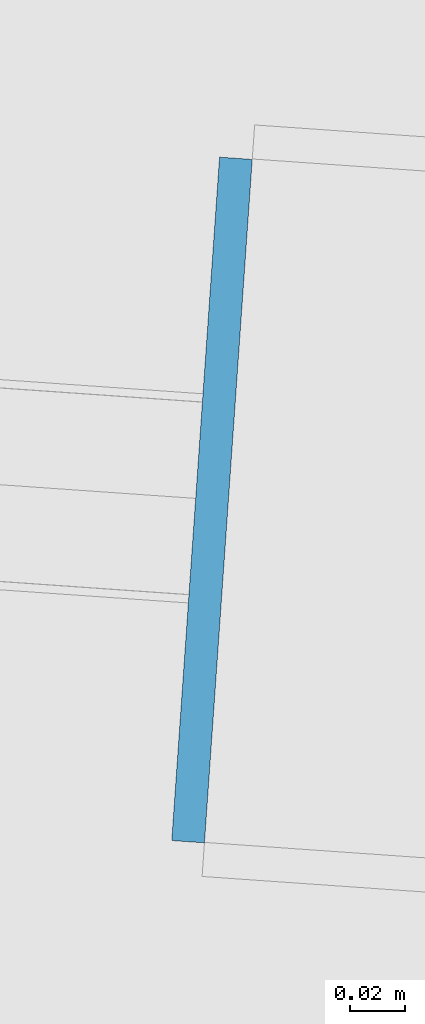
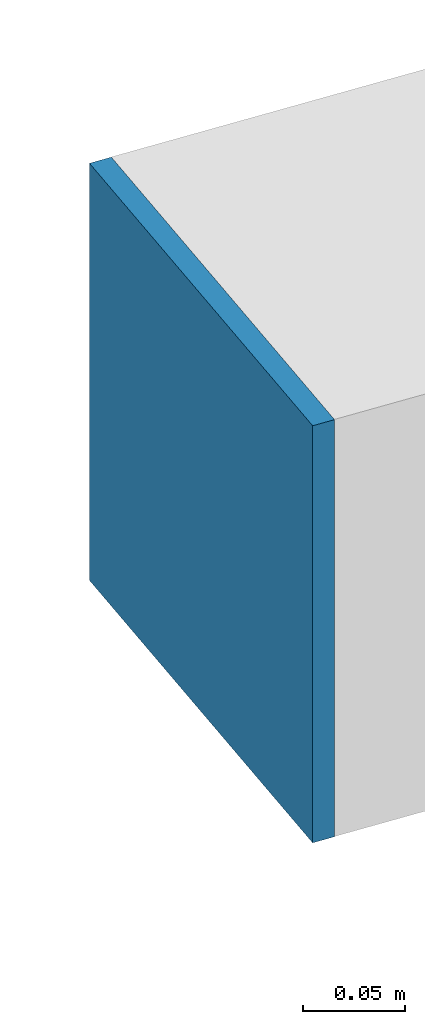
# One storey, part 29 of 39: 1 plate.
"""IFC4 building model written with IfcOpenShell, lengths in metres."""

from ifc_helpers import new_model, si_unit, direction, frame, origin, origin_2d, place, context, subcontext, project, spatial, rectangle, extrude, source, transform, mapped, material, layer, layer_set, type_object, element, save


model = new_model("IFC4")

# Units and contexts
model_context = context("Model", 3, precision=1e-05, world=origin(), true_north=direction((0.0, 1.0)))
body_context = subcontext(model_context, "Body", "Model", "MODEL_VIEW")
ifc_project = project(units=[si_unit("LENGTHUNIT", "METRE"), si_unit("AREAUNIT", "SQUARE_METRE"), si_unit("VOLUMEUNIT", "CUBIC_METRE"), si_unit("PLANEANGLEUNIT", "RADIAN"), si_unit("MASSUNIT", "GRAM", prefix="KILO")], contexts=[model_context])

# Site, building, storey
site_placement = place(None, origin())
site = spatial("IfcSite", under=ifc_project, at=site_placement, CompositionType="ELEMENT")
building_placement = place(site_placement, origin())
building = spatial("IfcBuilding", under=site, at=building_placement, Name="Taldren Reach Tower", CompositionType="ELEMENT")
storey_placement = place(building_placement, frame((0.0, 0.0, 158.199951171875)))
storey = spatial("IfcBuildingStorey", under=building, at=storey_placement, Name="L48", CompositionType="ELEMENT", Elevation=158.199951171875)

# Plate
ifc_material = material(Name="Steel Gr 350 (C350L0)", Category="steel")
ifc_layer = layer(ifc_material, 0.011962890625)
ifc_layer_set = layer_set([ifc_layer], Name="Steel Gr 350 (C350L0)")
plate_type = type_object("IfcPlateType", Name="PL-CAP-250", PredefinedType="SHEET", material=ifc_layer_set)
shared_shape = source(origin(), body_context, "Body", "SweptSolid", [
    extrude(rectangle(XDim=0.011962890625, YDim=0.25, at=origin_2d()), origin(), (0.0, 0.0, 1.0), 0.25),
])
plate_placement = place(storey_placement, frame((8.3095703125, 21.976806640625, 0.094970703125), z_axis=(0.0, 0.0, 1.0), x_axis=(0.99756405026, -0.069756473744, 0.0)))
element("IfcPlate", 1, at=plate_placement, inside=storey, type_object=plate_type, Name="Tie strut end cap plate B3-W2 L48", PredefinedType="SHEET", context=body_context, shape_type="MappedRepresentation", body=[
    mapped(shared_shape, transform((0.0, 0.0, 0.0), scale=1.0)),
])

save(model, "model.ifc")
